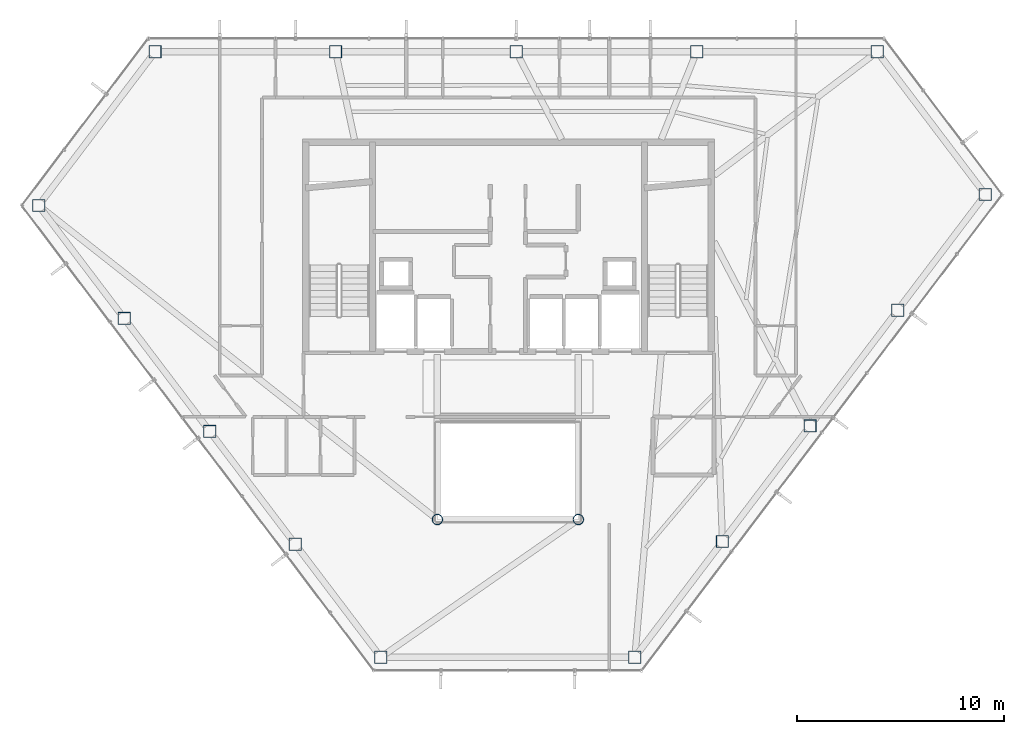
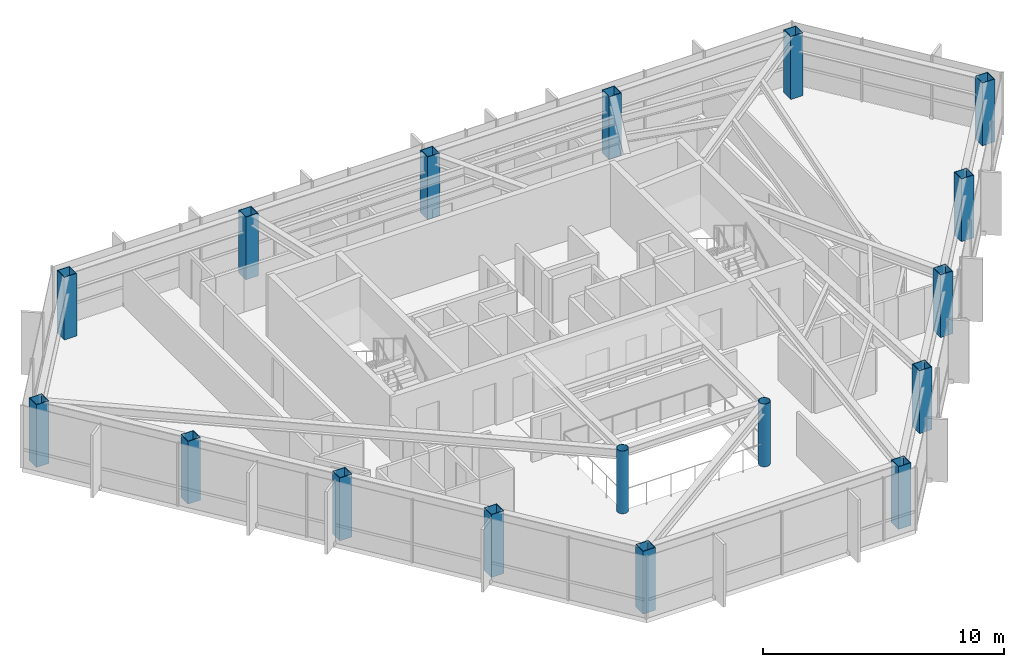
# One storey, part 1 of 25: 17 columns.
"""IFC4 building model written with IfcOpenShell, lengths in metres."""

from ifc_helpers import new_model, si_unit, direction, frame, origin, origin_2d, place, context, subcontext, project, spatial, hollow_rectangle, hollow_circle, extrude, material, material_profile, profile_set, type_object, element, save


model = new_model("IFC4")

# Units and contexts
model_context = context("Model", 3, precision=1e-05, world=origin(), true_north=direction((0.0, 1.0)))
body_context = subcontext(model_context, "Body", "Model", "MODEL_VIEW")
ifc_project = project(units=[si_unit("LENGTHUNIT", "METRE"), si_unit("AREAUNIT", "SQUARE_METRE"), si_unit("VOLUMEUNIT", "CUBIC_METRE"), si_unit("PLANEANGLEUNIT", "RADIAN"), si_unit("MASSUNIT", "GRAM", prefix="KILO")], contexts=[model_context])

# Site, building, storey
site_placement = place(None, origin())
site = spatial("IfcSite", under=ifc_project, at=site_placement, CompositionType="ELEMENT")
building_placement = place(site_placement, origin())
building = spatial("IfcBuilding", under=site, at=building_placement, Name="Zarrinselat Tower", CompositionType="ELEMENT")
storey_placement = place(building_placement, frame((0.0, 0.0, 212.159912109375)))
storey = spatial("IfcBuildingStorey", under=building, at=storey_placement, Name="L52", CompositionType="ELEMENT", Elevation=212.159912109375)

# Columns
ifc_material_1 = material(Name="Steel S355J2", Category="steel")
ifc_material_profile_1 = material_profile(ifc_material_1, hollow_circle(Radius=0.25390625, WallThickness=0.02001953125, at=origin_2d()), Name="CHS 508x20")
ifc_profile_set_1 = profile_set([ifc_material_profile_1], Name="Steel S355J2")
column_type_1 = type_object("IfcColumnType", Name="COL-CHS508", PredefinedType="COLUMN", material=ifc_profile_set_1)
for number, where, z_axis, x_axis, name in (
    (1, (35.0, 25.199951171875, 0.0), (0.0, 0.0, 1.0), (1.0, 0.0, 0.0), "L52 Atrium Corner Column 1"),
    (2, (41.800048828125, 25.199951171875, 0.0), (0.0, 0.0, 1.0), (1.0, 0.0, 0.0), "L52 Atrium Corner Column 2"),
):
    element("IfcColumn", number, at=place(storey_placement, frame(where, z_axis=z_axis, x_axis=x_axis)), inside=storey, type_object=column_type_1, Name=name, PredefinedType="COLUMN", context=body_context, shape_type="SweptSolid", body=[
        extrude(hollow_circle(Radius=0.25390625, WallThickness=0.02001953125, at=origin_2d()), origin(), (0.0, 0.0, 1.0), 3.18017578125),
    ])
ifc_material_2 = material(Name="Steel S355J2", Category="steel")
ifc_material_profile_2 = material_profile(ifc_material_2, hollow_rectangle(XDim=0.60009765625, YDim=0.60009765625, WallThickness=0.030029296875, at=origin_2d()), Name="SHS 600x600x30")
ifc_profile_set_2 = profile_set([ifc_material_profile_2], Name="Steel S355J2")
column_type_2 = type_object("IfcColumnType", Name="COL-SHS600", PredefinedType="COLUMN", material=ifc_profile_set_2)
for number, where, z_axis, x_axis, name in (
    (3, (56.21826171875, 47.760986328125, 0.0), (0.0, 0.0, 1.0), (1.0, 0.0, 0.0), "L52 Framed-Tube Column T01"),
    (4, (47.510009765625, 47.760986328125, 0.0), (0.0, 0.0, 1.0), (1.0, 0.0, 0.0), "L52 Framed-Tube Column T02"),
    (5, (38.802001953125, 47.760986328125, 0.0), (0.0, 0.0, 1.0), (1.0, 0.0, 0.0), "L52 Framed-Tube Column T03"),
    (6, (30.09375, 47.760986328125, 0.0), (0.0, 0.0, 1.0), (1.0, 0.0, 0.0), "L52 Framed-Tube Column T04"),
    (7, (21.3857421875, 47.760986328125, 0.0), (0.0, 0.0, 1.0), (1.0, 0.0, 0.0), "L52 Framed-Tube Column T05"),
    (8, (15.76904296875, 40.346923828125, 0.0), (0.0, 0.0, 1.0), (1.0, 0.0, 0.0), "L52 Framed-Tube Column T06"),
    (9, (19.895263671875, 34.900390625, 0.0), (0.0, 0.0, 1.0), (1.0, 0.0, 0.0), "L52 Framed-Tube Column T07"),
    (10, (24.021484375, 29.45361328125, 0.0), (0.0, 0.0, 1.0), (1.0, 0.0, 0.0), "L52 Framed-Tube Column T08"),
    (11, (28.147705078125, 24.007080078125, 0.0), (0.0, 0.0, 1.0), (1.0, 0.0, 0.0), "L52 Framed-Tube Column T09"),
    (12, (32.27392578125, 18.560546875, 0.0), (0.0, 0.0, 1.0), (1.0, 0.0, 0.0), "L52 Framed-Tube Column T10"),
    (13, (44.52587890625, 18.560546875, 0.0), (0.0, 0.0, 1.0), (1.0, 0.0, 0.0), "L52 Framed-Tube Column T11"),
    (14, (48.752685546875, 24.139892578125, 0.0), (0.0, 0.0, 1.0), (1.0, 0.0, 0.0), "L52 Framed-Tube Column T12"),
    (15, (52.9794921875, 29.718994140625, 0.0), (0.0, 0.0, 1.0), (1.0, 0.0, 0.0), "L52 Framed-Tube Column T13"),
    (16, (57.206298828125, 35.29833984375, 0.0), (0.0, 0.0, 1.0), (1.0, 0.0, 0.0), "L52 Framed-Tube Column T14"),
    (17, (61.432861328125, 40.877685546875, 0.0), (0.0, 0.0, 1.0), (1.0, 0.0, 0.0), "L52 Framed-Tube Column T15"),
):
    element("IfcColumn", number, at=place(storey_placement, frame(where, z_axis=z_axis, x_axis=x_axis)), inside=storey, type_object=column_type_2, Name=name, PredefinedType="COLUMN", context=body_context, shape_type="SweptSolid", body=[
        extrude(hollow_rectangle(XDim=0.60009765625, YDim=0.60009765625, WallThickness=0.030029296875, at=origin_2d()), origin(), (0.0, 0.0, 1.0), 3.18017578125),
    ])

save(model, "model.ifc")
